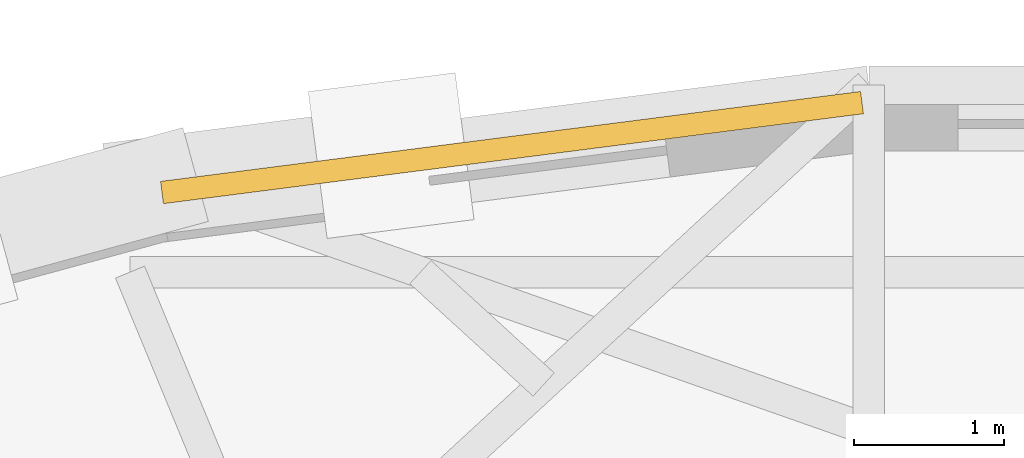
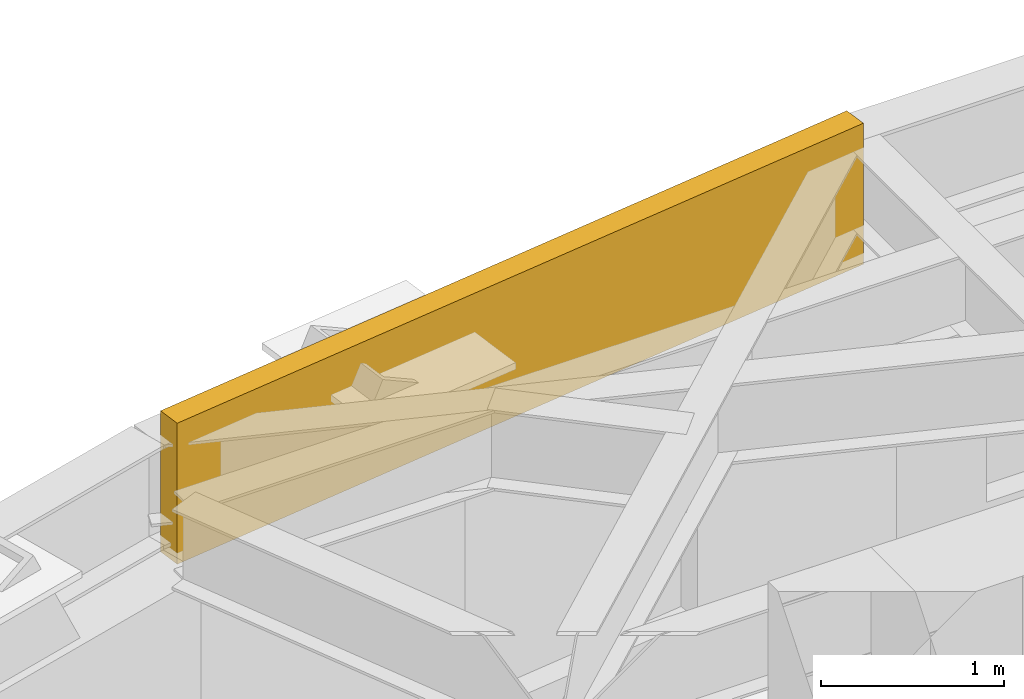
# One storey, part 15 of 15: 1 covering.
"""IFC4 building model written with IfcOpenShell, lengths in metres."""

from ifc_helpers import new_model, si_unit, direction, frame, origin, origin_2d, place, context, subcontext, project, spatial, rectangle, extrude, material, layer, layer_set, type_object, element, save


model = new_model("IFC4")

# Units and contexts
model_context = context("Model", 3, precision=1e-05, world=origin(), true_north=direction((0.0, 1.0)))
body_context = subcontext(model_context, "Body", "Model", "MODEL_VIEW")
ifc_project = project(units=[si_unit("LENGTHUNIT", "METRE"), si_unit("AREAUNIT", "SQUARE_METRE"), si_unit("VOLUMEUNIT", "CUBIC_METRE"), si_unit("PLANEANGLEUNIT", "RADIAN"), si_unit("MASSUNIT", "GRAM", prefix="KILO")], contexts=[model_context])

# Site, building, storey
site_placement = place(None, origin())
site = spatial("IfcSite", under=ifc_project, at=site_placement, CompositionType="ELEMENT")
building_placement = place(site_placement, origin())
building = spatial("IfcBuilding", under=site, at=building_placement, Name="Keldmark Tower", CompositionType="ELEMENT")
storey_placement = place(building_placement, frame((0.0, 0.0, 166.199951171875)))
storey = spatial("IfcBuildingStorey", under=building, at=storey_placement, Name="L45", CompositionType="ELEMENT", Elevation=166.199951171875)

# Covering
ifc_material = material(Name="Honed Kasota Buff Dolomitic Limestone", Category="masonry")
ifc_layer = layer(ifc_material, 0.074951171875)
ifc_layer_set = layer_set([ifc_layer], Name="Honed Kasota Buff Dolomitic Limestone")
covering_type = type_object("IfcCoveringType", Name="Kasota Buff Limestone Spandrel Cladding Band", PredefinedType="CLADDING", material=ifc_layer_set)
covering_placement = place(storey_placement, frame((-4.823974609375, 16.370849609375, 2.239013671875), z_axis=(0.0, 0.0, 1.0), x_axis=(-0.991850028246, -0.12741083733, 0.0)))
element("IfcCovering", 1, at=covering_placement, inside=storey, type_object=covering_type, Name="L45 Kasota Limestone Spandrel Band 09", PredefinedType="CLADDING", context=body_context, shape_type="SweptSolid", body=[
    extrude(rectangle(XDim=4.717041015625, YDim=0.14990234375, at=origin_2d()), origin(), (0.0, 0.0, 1.0), 0.94091796875),
])

save(model, "model.ifc")
